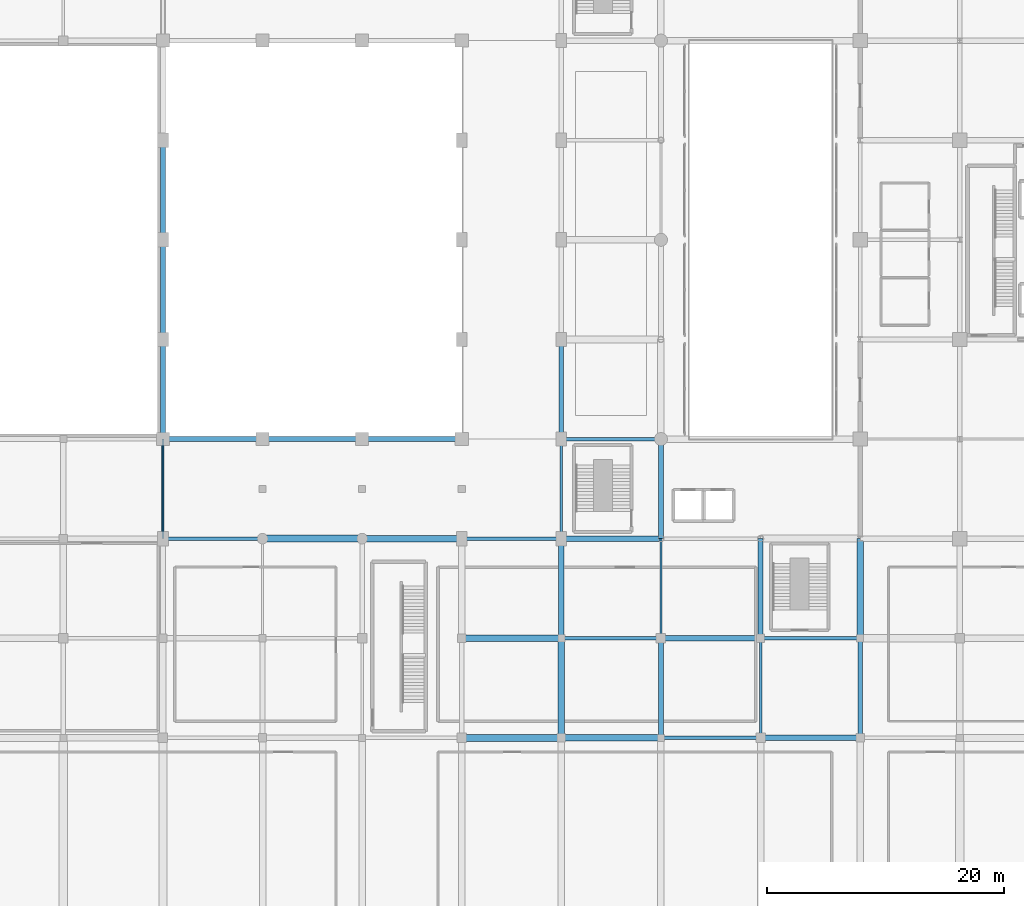
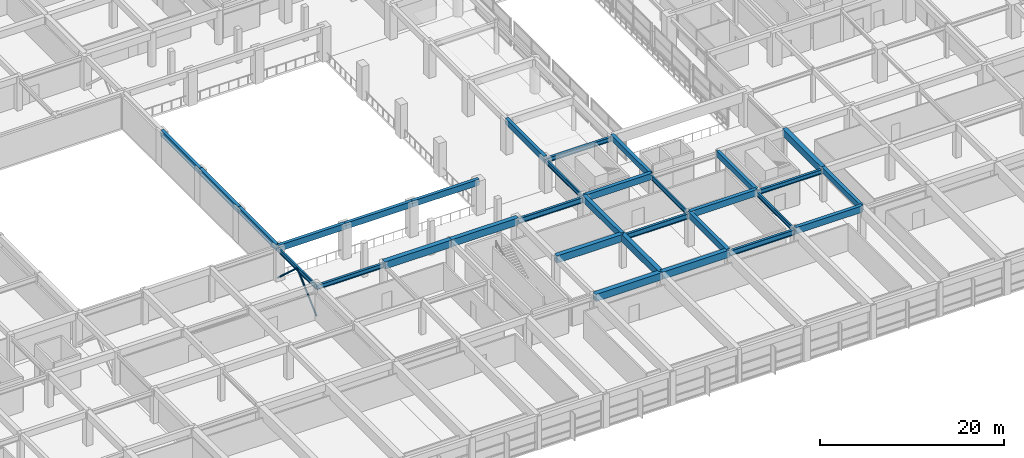
# One storey, part 19 of 65: 32 beams, 2 members.
"""IFC4 building model written with IfcOpenShell, lengths in metres."""

from ifc_helpers import new_model, si_unit, direction, frame, origin, origin_2d, place, context, subcontext, project, spatial, rectangle, hollow_circle, i_section, extrude, material, material_profile, profile_set, type_object, element, save


model = new_model("IFC4")

# Units and contexts
model_context = context("Model", 3, precision=1e-05, world=origin(), true_north=direction((0.0, 1.0)))
body_context = subcontext(model_context, "Body", "Model", "MODEL_VIEW")
ifc_project = project(units=[si_unit("LENGTHUNIT", "METRE"), si_unit("AREAUNIT", "SQUARE_METRE"), si_unit("VOLUMEUNIT", "CUBIC_METRE"), si_unit("PLANEANGLEUNIT", "RADIAN"), si_unit("MASSUNIT", "GRAM", prefix="KILO")], contexts=[model_context])

# Site, building, storey
site_placement = place(None, origin())
site = spatial("IfcSite", under=ifc_project, at=site_placement, CompositionType="ELEMENT")
building_placement = place(site_placement, origin())
building = spatial("IfcBuilding", under=site, at=building_placement, Name="Xuanlan Plaza Opera House", CompositionType="ELEMENT")
storey_placement = place(building_placement, frame((0.0, 0.0, 5.39990234375)))
storey = spatial("IfcBuildingStorey", under=building, at=storey_placement, Name="L01", CompositionType="ELEMENT", Elevation=5.39990234375)

# Beams
ifc_material_1 = material(Name="Concrete C50", Category="concrete")
ifc_material_profile_1 = material_profile(ifc_material_1, rectangle(XDim=0.60009765625, YDim=0.949951171875, at=origin_2d()), Name="RC-BM 600x950")
ifc_profile_set_1 = profile_set([ifc_material_profile_1], Name="Concrete C50")
beam_type_1 = type_object("IfcBeamType", Name="STR-BM-B-01", PredefinedType="BEAM", material=ifc_profile_set_1)
beam_1_placement = place(storey_placement, frame((92.39990234375, 16.800048828125, 4.025146484375), z_axis=(1.0, 0.0, 0.0), x_axis=(0.0, 1.0, 0.0)))
element("IfcBeam", 1, at=beam_1_placement, inside=storey, type_object=beam_type_1, Name="Grid Beam X L01 12-13/C", PredefinedType="BEAM", context=body_context, shape_type="SweptSolid", body=[
    extrude(rectangle(XDim=0.60009765625, YDim=0.949951171875, at=origin_2d()), origin(), (0.0, 0.0, 1.0), 8.400146484375),
])
beam_2_placement = place(storey_placement, frame((75.60009765625, 33.60009765625, 4.025146484375), z_axis=(1.0, 0.0, 0.0), x_axis=(0.0, 1.0, 0.0)))
element("IfcBeam", 2, at=beam_2_placement, inside=storey, type_object=beam_type_1, Name="Grid Beam X L01 10-11/E", PredefinedType="BEAM", context=body_context, shape_type="SweptSolid", body=[
    extrude(rectangle(XDim=0.60009765625, YDim=0.949951171875, at=origin_2d()), origin(), (0.0, 0.0, 1.0), 8.39990234375),
])
ifc_material_profile_2 = material_profile(ifc_material_1, rectangle(XDim=0.550048828125, YDim=0.949951171875, at=origin_2d()), Name="RC-BM 550x950")
ifc_profile_set_2 = profile_set([ifc_material_profile_2], Name="Concrete C50")
beam_type_2 = type_object("IfcBeamType", Name="STR-BM-B-02", PredefinedType="BEAM", material=ifc_profile_set_2)
beam_3_placement = place(storey_placement, frame((100.800048828125, 16.800048828125, 4.025146484375), z_axis=(1.0, 0.0, 0.0), x_axis=(0.0, 1.0, 0.0)))
element("IfcBeam", 3, at=beam_3_placement, inside=storey, type_object=beam_type_2, Name="Grid Beam X L01 13-14/C", PredefinedType="BEAM", context=body_context, shape_type="SweptSolid", body=[
    extrude(rectangle(XDim=0.550048828125, YDim=0.949951171875, at=origin_2d()), origin(), (0.0, 0.0, 1.0), 8.39990234375),
])
beam_4_placement = place(storey_placement, frame((92.39990234375, 25.199951171875, 4.025146484375), z_axis=(1.0, 0.0, 0.0), x_axis=(0.0, 1.0, 0.0)))
element("IfcBeam", 4, at=beam_4_placement, inside=storey, type_object=beam_type_2, Name="Grid Beam X L01 12-13/D", PredefinedType="BEAM", context=body_context, shape_type="SweptSolid", body=[
    extrude(rectangle(XDim=0.550048828125, YDim=0.949951171875, at=origin_2d()), origin(), (0.0, 0.0, 1.0), 8.400146484375),
])
for number, where, z_axis, x_axis, name in (
    (5, (84.0, 33.60009765625, 4.025146484375), (1.0, 0.0, 0.0), (0.0, 1.0, 0.0), "Grid Beam X L01 11-12/E"),
    (6, (100.800048828125, 16.800048828125, 4.025146484375), (0.0, 1.0, 0.0), (-1.0, 0.0, 0.0), "Grid Beam Y L01 13/C-D"),
):
    element("IfcBeam", number, at=place(storey_placement, frame(where, z_axis=z_axis, x_axis=x_axis)), inside=storey, type_object=beam_type_2, Name=name, PredefinedType="BEAM", context=body_context, shape_type="SweptSolid", body=[
        extrude(rectangle(XDim=0.550048828125, YDim=0.949951171875, at=origin_2d()), origin(), (0.0, 0.0, 1.0), 8.39990234375),
    ])
beam_5_placement = place(storey_placement, frame((126.0, 25.199951171875, 4.025146484375), z_axis=(0.0, 1.0, 0.0), x_axis=(-1.0, 0.0, 0.0)))
element("IfcBeam", 7, at=beam_5_placement, inside=storey, type_object=beam_type_2, Name="Grid Beam Y L01 16/D-E", PredefinedType="BEAM", context=body_context, shape_type="SweptSolid", body=[
    extrude(rectangle(XDim=0.550048828125, YDim=0.949951171875, at=origin_2d()), origin(), (0.0, 0.0, 1.0), 8.400146484375),
])
ifc_material_2 = material(Name="Concrete C40", Category="concrete")
ifc_material_profile_3 = material_profile(ifc_material_2, rectangle(XDim=0.449951171875, YDim=0.85009765625, at=origin_2d()), Name="RC-BM 450x850")
ifc_profile_set_3 = profile_set([ifc_material_profile_3], Name="Concrete C40")
beam_type_3 = type_object("IfcBeamType", Name="STR-BM-B-04", PredefinedType="BEAM", material=ifc_profile_set_3)
beam_6_placement = place(storey_placement, frame((117.60009765625, 16.800048828125, 4.0751953125), z_axis=(1.0, 0.0, 0.0), x_axis=(0.0, 1.0, 0.0)))
element("IfcBeam", 8, at=beam_6_placement, inside=storey, type_object=beam_type_3, Name="Grid Beam X L01 15-16/C", PredefinedType="BEAM", context=body_context, shape_type="SweptSolid", body=[
    extrude(rectangle(XDim=0.449951171875, YDim=0.85009765625, at=origin_2d()), origin(), (0.0, 0.0, 1.0), 8.39990234375),
])
beam_7_placement = place(storey_placement, frame((109.199951171875, 25.199951171875, 4.0751953125), z_axis=(1.0, 0.0, 0.0), x_axis=(0.0, 1.0, 0.0)))
element("IfcBeam", 9, at=beam_7_placement, inside=storey, type_object=beam_type_3, Name="Grid Beam X L01 14-15/D", PredefinedType="BEAM", context=body_context, shape_type="SweptSolid", body=[
    extrude(rectangle(XDim=0.449951171875, YDim=0.85009765625, at=origin_2d()), origin(), (0.0, 0.0, 1.0), 8.400146484375),
])
beam_8_placement = place(storey_placement, frame((100.800048828125, 33.60009765625, 4.0751953125), z_axis=(1.0, 0.0, 0.0), x_axis=(0.0, 1.0, 0.0)))
element("IfcBeam", 10, at=beam_8_placement, inside=storey, type_object=beam_type_3, Name="Grid Beam X L01 13-14/E", PredefinedType="BEAM", context=body_context, shape_type="SweptSolid", body=[
    extrude(rectangle(XDim=0.449951171875, YDim=0.85009765625, at=origin_2d()), origin(), (0.0, 0.0, 1.0), 8.39990234375),
])
beam_9_placement = place(storey_placement, frame((100.800048828125, 25.199951171875, 4.0751953125), z_axis=(0.0, 1.0, 0.0), x_axis=(-1.0, 0.0, 0.0)))
element("IfcBeam", 11, at=beam_9_placement, inside=storey, type_object=beam_type_3, Name="Grid Beam Y L01 13/D-E", PredefinedType="BEAM", context=body_context, shape_type="SweptSolid", body=[
    extrude(rectangle(XDim=0.449951171875, YDim=0.85009765625, at=origin_2d()), origin(), (0.0, 0.0, 1.0), 8.400146484375),
])
beam_10_placement = place(storey_placement, frame((109.199951171875, 16.800048828125, 4.0751953125), z_axis=(0.0, 1.0, 0.0), x_axis=(-1.0, 0.0, 0.0)))
element("IfcBeam", 12, at=beam_10_placement, inside=storey, type_object=beam_type_3, Name="Grid Beam Y L01 14/C-D", PredefinedType="BEAM", context=body_context, shape_type="SweptSolid", body=[
    extrude(rectangle(XDim=0.449951171875, YDim=0.85009765625, at=origin_2d()), origin(), (0.0, 0.0, 1.0), 8.39990234375),
])
ifc_material_profile_4 = material_profile(ifc_material_2, rectangle(XDim=0.39990234375, YDim=0.75, at=origin_2d()), Name="RC-BM 400x750")
ifc_profile_set_4 = profile_set([ifc_material_profile_4], Name="Concrete C40")
beam_type_4 = type_object("IfcBeamType", Name="STR-BM-B-06", PredefinedType="BEAM", material=ifc_profile_set_4)
beam_11_placement = place(storey_placement, frame((109.199951171875, 33.60009765625, 4.125), z_axis=(0.0, 1.0, 0.0), x_axis=(-1.0, 0.0, 0.0)))
element("IfcBeam", 13, at=beam_11_placement, inside=storey, type_object=beam_type_4, Name="Grid Beam Y L01 14/E-F", PredefinedType="BEAM", context=body_context, shape_type="SweptSolid", body=[
    extrude(rectangle(XDim=0.39990234375, YDim=0.75, at=origin_2d()), origin(), (0.0, 0.0, 1.0), 8.39990234375),
])
beam_12_placement = place(storey_placement, frame((117.60009765625, 25.199951171875, 4.125), z_axis=(0.0, 1.0, 0.0), x_axis=(-1.0, 0.0, 0.0)))
element("IfcBeam", 14, at=beam_12_placement, inside=storey, type_object=beam_type_4, Name="Grid Beam Y L01 15/D-E", PredefinedType="BEAM", context=body_context, shape_type="SweptSolid", body=[
    extrude(rectangle(XDim=0.39990234375, YDim=0.75, at=origin_2d()), origin(), (0.0, 0.0, 1.0), 8.400146484375),
])
beam_13_placement = place(storey_placement, frame((126.0, 16.800048828125, 4.125), z_axis=(0.0, 1.0, 0.0), x_axis=(-1.0, 0.0, 0.0)))
element("IfcBeam", 15, at=beam_13_placement, inside=storey, type_object=beam_type_4, Name="Grid Beam Y L01 16/C-D", PredefinedType="BEAM", context=body_context, shape_type="SweptSolid", body=[
    extrude(rectangle(XDim=0.39990234375, YDim=0.75, at=origin_2d()), origin(), (0.0, 0.0, 1.0), 8.39990234375),
])
ifc_material_3 = material(Name="Steel Q355B", Category="steel")
ifc_material_profile_5 = material_profile(ifc_material_3, i_section(OverallWidth=0.300048828125, OverallDepth=0.699951171875, WebThickness=0.012939453125, FlangeThickness=0.02392578125, FilletRadius=0.02392578125, at=origin_2d()), Name="HN 700x300x13x24")
ifc_profile_set_5 = profile_set([ifc_material_profile_5], Name="Steel Q355B")
beam_type_5 = type_object("IfcBeamType", Name="STR-BM-SB-03", PredefinedType="BEAM", material=ifc_profile_set_5)
beam_14_placement = place(storey_placement, frame((109.199951171875, 16.800048828125, 3.885009765625), z_axis=(1.0, 0.0, 0.0), x_axis=(0.0, 1.0, 0.0)))
element("IfcBeam", 16, at=beam_14_placement, inside=storey, type_object=beam_type_5, Name="Grid Beam X L01 14-15/C", PredefinedType="BEAM", context=body_context, shape_type="SweptSolid", body=[
    extrude(i_section(OverallWidth=0.300048828125, OverallDepth=0.699951171875, WebThickness=0.012939453125, FlangeThickness=0.02392578125, FilletRadius=0.02392578125, at=origin_2d()), origin(), (0.0, 0.0, 1.0), 8.400146484375),
])
beam_15_placement = place(storey_placement, frame((100.800048828125, 25.199951171875, 3.885009765625), z_axis=(1.0, 0.0, 0.0), x_axis=(0.0, 1.0, 0.0)))
element("IfcBeam", 17, at=beam_15_placement, inside=storey, type_object=beam_type_5, Name="Grid Beam X L01 13-14/D", PredefinedType="BEAM", context=body_context, shape_type="SweptSolid", body=[
    extrude(i_section(OverallWidth=0.300048828125, OverallDepth=0.699951171875, WebThickness=0.012939453125, FlangeThickness=0.02392578125, FilletRadius=0.02392578125, at=origin_2d()), origin(), (0.0, 0.0, 1.0), 8.39990234375),
])
beam_16_placement = place(storey_placement, frame((92.39990234375, 33.60009765625, 3.885009765625), z_axis=(1.0, 0.0, 0.0), x_axis=(0.0, 1.0, 0.0)))
element("IfcBeam", 18, at=beam_16_placement, inside=storey, type_object=beam_type_5, Name="Grid Beam X L01 12-13/E", PredefinedType="BEAM", context=body_context, shape_type="SweptSolid", body=[
    extrude(i_section(OverallWidth=0.300048828125, OverallDepth=0.699951171875, WebThickness=0.012939453125, FlangeThickness=0.02392578125, FilletRadius=0.02392578125, at=origin_2d()), origin(), (0.0, 0.0, 1.0), 8.400146484375),
])
ifc_material_profile_6 = material_profile(ifc_material_3, i_section(OverallWidth=0.199951171875, OverallDepth=0.60009765625, WebThickness=0.010986328125, FlangeThickness=0.01708984375, FilletRadius=0.02197265625, at=origin_2d()), Name="HN 600x200x11x17")
ifc_profile_set_6 = profile_set([ifc_material_profile_6], Name="Steel Q355B")
beam_type_6 = type_object("IfcBeamType", Name="STR-BM-SB-04", PredefinedType="BEAM", material=ifc_profile_set_6)
for number, where, z_axis, x_axis, name in (
    (19, (67.199951171875, 33.60009765625, 3.93505859375), (0.0, 1.0, 0.0), (-1.0, 0.0, 0.0), "Grid Beam Y L01 9/E-F"),
    (20, (100.800048828125, 33.60009765625, 3.93505859375), (0.0, 1.0, 0.0), (-1.0, 0.0, 0.0), "Grid Beam Y L01 13/E-F"),
):
    element("IfcBeam", number, at=place(storey_placement, frame(where, z_axis=z_axis, x_axis=x_axis)), inside=storey, type_object=beam_type_6, Name=name, PredefinedType="BEAM", context=body_context, shape_type="SweptSolid", body=[
        extrude(i_section(OverallWidth=0.199951171875, OverallDepth=0.60009765625, WebThickness=0.010986328125, FlangeThickness=0.01708984375, FilletRadius=0.02197265625, at=origin_2d()), origin(), (0.0, 0.0, 1.0), 8.39990234375),
    ])
beam_17_placement = place(storey_placement, frame((109.199951171875, 25.199951171875, 3.93505859375), z_axis=(0.0, 1.0, 0.0), x_axis=(-1.0, 0.0, 0.0)))
element("IfcBeam", 21, at=beam_17_placement, inside=storey, type_object=beam_type_6, Name="Grid Beam Y L01 14/D-E", PredefinedType="BEAM", context=body_context, shape_type="SweptSolid", body=[
    extrude(i_section(OverallWidth=0.199951171875, OverallDepth=0.60009765625, WebThickness=0.010986328125, FlangeThickness=0.01708984375, FilletRadius=0.02197265625, at=origin_2d()), origin(), (0.0, 0.0, 1.0), 8.400146484375),
])
beam_18_placement = place(storey_placement, frame((117.60009765625, 16.800048828125, 3.93505859375), z_axis=(0.0, 1.0, 0.0), x_axis=(-1.0, 0.0, 0.0)))
element("IfcBeam", 22, at=beam_18_placement, inside=storey, type_object=beam_type_6, Name="Grid Beam Y L01 15/C-D", PredefinedType="BEAM", context=body_context, shape_type="SweptSolid", body=[
    extrude(i_section(OverallWidth=0.199951171875, OverallDepth=0.60009765625, WebThickness=0.010986328125, FlangeThickness=0.01708984375, FilletRadius=0.02197265625, at=origin_2d()), origin(), (0.0, 0.0, 1.0), 8.39990234375),
])
ifc_material_profile_7 = material_profile(ifc_material_3, i_section(OverallWidth=0.300048828125, OverallDepth=0.587890625, WebThickness=0.011962890625, FlangeThickness=0.02001953125, FilletRadius=0.02392578125, at=origin_2d()), Name="HM 588x300x12x20")
ifc_profile_set_7 = profile_set([ifc_material_profile_7], Name="Steel Q355B")
beam_type_7 = type_object("IfcBeamType", Name="STR-BM-SB-06", PredefinedType="BEAM", material=ifc_profile_set_7)
beam_19_placement = place(storey_placement, frame((117.60009765625, 25.199951171875, 3.941162109375), z_axis=(1.0, 0.0, 0.0), x_axis=(0.0, 1.0, 0.0)))
element("IfcBeam", 23, at=beam_19_placement, inside=storey, type_object=beam_type_7, Name="Grid Beam X L01 15-16/D", PredefinedType="BEAM", context=body_context, shape_type="SweptSolid", body=[
    extrude(i_section(OverallWidth=0.300048828125, OverallDepth=0.587890625, WebThickness=0.011962890625, FlangeThickness=0.02001953125, FilletRadius=0.02392578125, at=origin_2d()), origin(), (0.0, 0.0, 1.0), 8.39990234375),
])
beam_20_placement = place(storey_placement, frame((67.199951171875, 33.60009765625, 3.941162109375), z_axis=(1.0, 0.0, 0.0), x_axis=(0.0, 1.0, 0.0)))
element("IfcBeam", 24, at=beam_20_placement, inside=storey, type_object=beam_type_7, Name="Grid Beam X L01 9-10/E", PredefinedType="BEAM", context=body_context, shape_type="SweptSolid", body=[
    extrude(i_section(OverallWidth=0.300048828125, OverallDepth=0.587890625, WebThickness=0.011962890625, FlangeThickness=0.02001953125, FilletRadius=0.02392578125, at=origin_2d()), origin(), (0.0, 0.0, 1.0), 8.400146484375),
])
beam_21_placement = place(storey_placement, frame((100.800048828125, 42.0, 3.941162109375), z_axis=(1.0, 0.0, 0.0), x_axis=(0.0, 1.0, 0.0)))
element("IfcBeam", 25, at=beam_21_placement, inside=storey, type_object=beam_type_7, Name="Grid Beam X L01 13-14/F", PredefinedType="BEAM", context=body_context, shape_type="SweptSolid", body=[
    extrude(i_section(OverallWidth=0.300048828125, OverallDepth=0.587890625, WebThickness=0.011962890625, FlangeThickness=0.02001953125, FilletRadius=0.02392578125, at=origin_2d()), origin(), (0.0, 0.0, 1.0), 8.39990234375),
])
ifc_material_profile_8 = material_profile(ifc_material_2, rectangle(XDim=0.39990234375, YDim=0.800048828125, at=origin_2d()), Name="RC-SPD 400x800")
ifc_profile_set_8 = profile_set([ifc_material_profile_8], Name="Concrete C40")
beam_type_8 = type_object("IfcBeamType", Name="STR-BM-SP-01", PredefinedType="SPANDREL", material=ifc_profile_set_8)
beam_22_placement = place(storey_placement, frame((67.199951171875, 42.0, 4.10009765625), z_axis=(1.0, 0.0, 0.0), x_axis=(0.0, 1.0, 0.0)))
element("IfcBeam", 26, at=beam_22_placement, inside=storey, type_object=beam_type_8, Name="Grid Beam X L01 9-10/F", PredefinedType="SPANDREL", context=body_context, shape_type="SweptSolid", body=[
    extrude(rectangle(XDim=0.39990234375, YDim=0.800048828125, at=origin_2d()), origin(), (0.0, 0.0, 1.0), 8.400146484375),
])
for number, where, z_axis, x_axis, name in (
    (27, (75.60009765625, 42.0, 4.10009765625), (1.0, 0.0, 0.0), (0.0, 1.0, 0.0), "Grid Beam X L01 10-11/F"),
    (28, (84.0, 42.0, 4.10009765625), (1.0, 0.0, 0.0), (0.0, 1.0, 0.0), "Grid Beam X L01 11-12/F"),
    (29, (67.199951171875, 42.0, 4.10009765625), (0.0, 1.0, 0.0), (-1.0, 0.0, 0.0), "Grid Beam Y L01 9/F-G"),
):
    element("IfcBeam", number, at=place(storey_placement, frame(where, z_axis=z_axis, x_axis=x_axis)), inside=storey, type_object=beam_type_8, Name=name, PredefinedType="SPANDREL", context=body_context, shape_type="SweptSolid", body=[
        extrude(rectangle(XDim=0.39990234375, YDim=0.800048828125, at=origin_2d()), origin(), (0.0, 0.0, 1.0), 8.39990234375),
    ])
beam_23_placement = place(storey_placement, frame((67.199951171875, 50.39990234375, 4.10009765625), z_axis=(0.0, 1.0, 0.0), x_axis=(-1.0, 0.0, 0.0)))
element("IfcBeam", 30, at=beam_23_placement, inside=storey, type_object=beam_type_8, Name="Grid Beam Y L01 9/G-H", PredefinedType="SPANDREL", context=body_context, shape_type="SweptSolid", body=[
    extrude(rectangle(XDim=0.39990234375, YDim=0.800048828125, at=origin_2d()), origin(), (0.0, 0.0, 1.0), 8.400146484375),
])
for number, where, z_axis, x_axis, name in (
    (31, (67.199951171875, 58.800048828125, 4.10009765625), (0.0, 1.0, 0.0), (-1.0, 0.0, 0.0), "Grid Beam Y L01 9/H-I"),
    (32, (100.800048828125, 42.0, 4.10009765625), (0.0, 1.0, 0.0), (-1.0, 0.0, 0.0), "Grid Beam Y L01 13/F-G"),
):
    element("IfcBeam", number, at=place(storey_placement, frame(where, z_axis=z_axis, x_axis=x_axis)), inside=storey, type_object=beam_type_8, Name=name, PredefinedType="SPANDREL", context=body_context, shape_type="SweptSolid", body=[
        extrude(rectangle(XDim=0.39990234375, YDim=0.800048828125, at=origin_2d()), origin(), (0.0, 0.0, 1.0), 8.39990234375),
    ])

# Members
ifc_material_profile_9 = material_profile(ifc_material_3, hollow_circle(Radius=0.109619140625, WallThickness=0.010009765625, at=origin_2d()), Name="CHS 219.1x10")
ifc_profile_set_9 = profile_set([ifc_material_profile_9], Name="Steel Q355B")
member_type = type_object("IfcMemberType", Name="STR-MEM-BR-05", PredefinedType="BRACE", material=ifc_profile_set_9)
for number, where, z_axis, x_axis, name in (
    (33, (67.199951171875, 33.60009765625, 0.10009765625), (0.0, 0.737141689437, 0.675738210918), (-1.0, 0.0, 0.0), "Stage Lateral Chevron Brace L01-2A"),
    (34, (67.199951171875, 42.0, 0.10009765625), (0.0, -0.737141689437, 0.675738210918), (1.0, 0.0, 0.0), "Stage Lateral Chevron Brace L01-2B"),
):
    element("IfcMember", number, at=place(storey_placement, frame(where, z_axis=z_axis, x_axis=x_axis)), inside=storey, type_object=member_type, Name=name, PredefinedType="BRACE", context=body_context, shape_type="SweptSolid", body=[
        extrude(hollow_circle(Radius=0.109619140625, WallThickness=0.010009765625, at=origin_2d()), origin(), (0.0, 0.0, 1.0), 5.697509765625),
    ])

save(model, "model.ifc")
